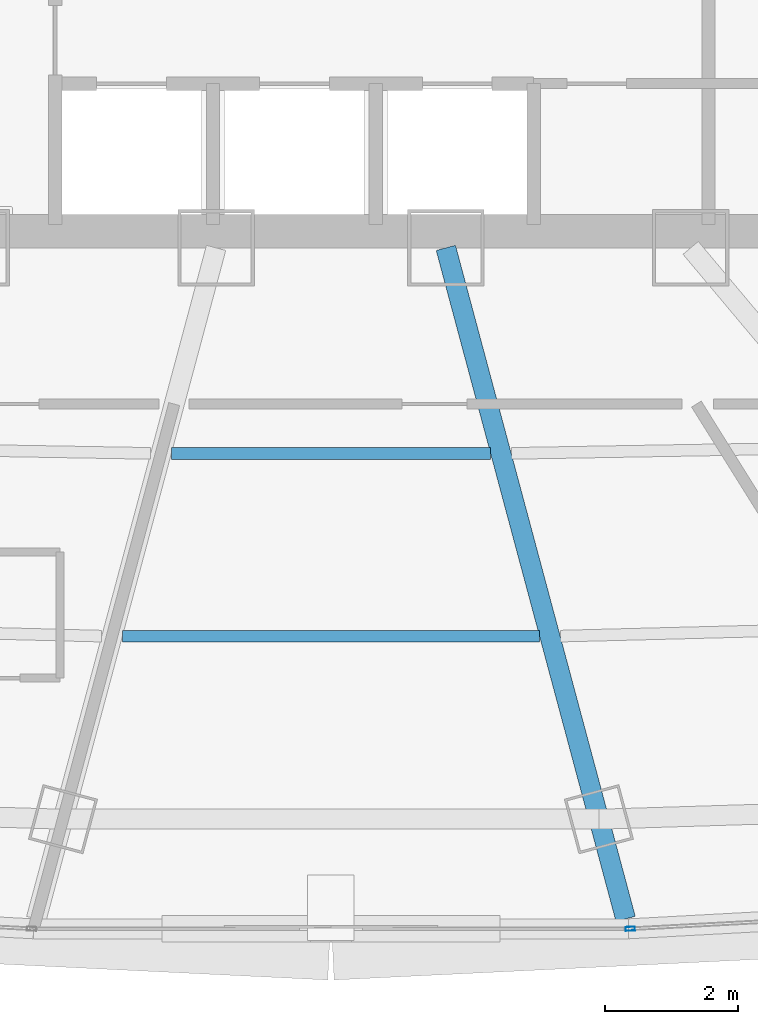
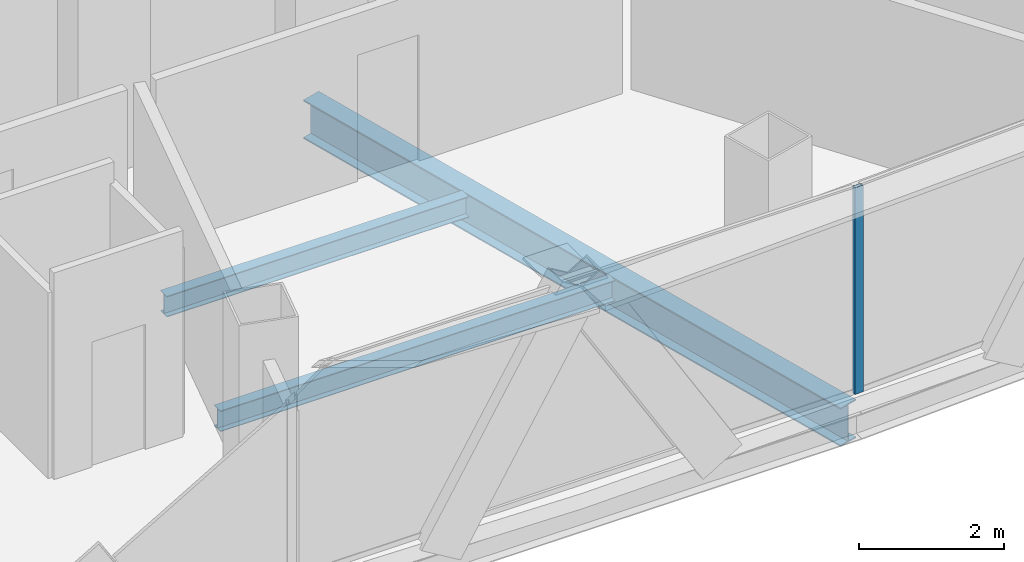
# One storey, part 10 of 37: 3 beams, 1 member, 1 element without a shape of its own.
"""IFC4 building model written with IfcOpenShell, lengths in metres."""

from ifc_helpers import new_model, si_unit, direction, frame, origin, origin_2d, place, context, subcontext, project, spatial, hollow_rectangle, i_section, extrude, source, transform, mapped, material, layer, layer_set, material_profile, profile_set, type_object, element, aggregate, save


model = new_model("IFC4")

# Units and contexts
model_context = context("Model", 3, precision=1e-05, world=origin(), true_north=direction((0.0, 1.0)))
body_context = subcontext(model_context, "Body", "Model", "MODEL_VIEW")
ifc_project = project(units=[si_unit("LENGTHUNIT", "METRE"), si_unit("AREAUNIT", "SQUARE_METRE"), si_unit("VOLUMEUNIT", "CUBIC_METRE"), si_unit("PLANEANGLEUNIT", "RADIAN"), si_unit("MASSUNIT", "GRAM", prefix="KILO"), si_unit("THERMODYNAMICTEMPERATUREUNIT", "KELVIN"), si_unit("POWERUNIT", "WATT")], contexts=[model_context])

# Site, building, storey
site_placement = place(None, origin())
site = spatial("IfcSite", under=ifc_project, at=site_placement, CompositionType="ELEMENT")
building_placement = place(site_placement, origin())
building = spatial("IfcBuilding", under=site, at=building_placement, Name="Yunzhuo Pagoda Commons", CompositionType="ELEMENT")
storey_placement = place(building_placement, frame((0.0, 0.0, 259.449951171875)))
storey = spatial("IfcBuildingStorey", under=building, at=storey_placement, Name="L65", CompositionType="ELEMENT", Elevation=259.449951171875)

# Beams
ifc_material_1 = material(Name="Structural steel Q355B", Category="steel")
ifc_material_profile_1 = material_profile(ifc_material_1, i_section(OverallWidth=0.175048828125, OverallDepth=0.35009765625, WebThickness=0.007080078125, FlangeThickness=0.010986328125, at=origin_2d()), Name="Structural steel Q355B")
ifc_profile_set_1 = profile_set([ifc_material_profile_1], Name="Structural steel Q355B")
beam_type_1 = type_object("IfcBeamType", Name="B-JS2 Joist HN 350x175x7x11", PredefinedType="JOIST", material=ifc_profile_set_1)
shared_shape_1 = source(origin(), body_context, "Body", "SweptSolid", [
    extrude(i_section(OverallWidth=0.175048828125, OverallDepth=0.35009765625, WebThickness=0.007080078125, FlangeThickness=0.010986328125, at=origin_2d()), origin(), (0.0, 0.0, 1.0), 4.796875),
])
beam_1_placement = place(storey_placement, frame((45.601806640625, 24.155517578125, -0.43505859375), z_axis=(1.0, 0.0, 0.0), x_axis=(0.0, 1.0, 0.0)))
element("IfcBeam", 1, at=beam_1_placement, inside=storey, type_object=beam_type_1, Name="L65 composite ring joist 1.2", PredefinedType="JOIST", context=body_context, shape_type="MappedRepresentation", body=[
    mapped(shared_shape_1, transform((0.0, 0.0, 0.0), scale=1.0)),
])
shared_shape_2 = source(origin(), body_context, "Body", "SweptSolid", [
    extrude(i_section(OverallWidth=0.175048828125, OverallDepth=0.35009765625, WebThickness=0.007080078125, FlangeThickness=0.010986328125, at=origin_2d()), origin(), (0.0, 0.0, 1.0), 6.27099609375),
])
beam_2_placement = place(storey_placement, frame((44.864501953125, 21.40478515625, -0.43505859375), z_axis=(1.0, 0.0, 0.0), x_axis=(0.0, 1.0, 0.0)))
element("IfcBeam", 2, at=beam_2_placement, inside=storey, type_object=beam_type_1, Name="L65 composite ring joist 2.2", PredefinedType="JOIST", context=body_context, shape_type="MappedRepresentation", body=[
    mapped(shared_shape_2, transform((0.0, 0.0, 0.0), scale=1.0)),
])
ifc_material_profile_2 = material_profile(ifc_material_1, i_section(OverallWidth=0.300048828125, OverallDepth=0.64990234375, WebThickness=0.012939453125, FlangeThickness=0.02197265625, at=origin_2d()), Name="Structural steel Q355B")
ifc_profile_set_2 = profile_set([ifc_material_profile_2], Name="Structural steel Q355B")
beam_type_2 = type_object("IfcBeamType", Name="B-RG2 Beam HN 650x300x13x22", PredefinedType="BEAM", material=ifc_profile_set_2)
shared_shape_3 = source(origin(), body_context, "Body", "SweptSolid", [
    extrude(i_section(OverallWidth=0.300048828125, OverallDepth=0.64990234375, WebThickness=0.012939453125, FlangeThickness=0.02197265625, at=origin_2d()), origin(), (0.0, 0.0, 1.0), 10.4521484375),
])
beam_3_placement = place(storey_placement, frame((52.43359375, 17.154052734375, -0.5849609375), z_axis=(-0.258808083979, 0.965928763247, 0.0), x_axis=(-0.965928763247, -0.258808083979, 0.0)))
element("IfcBeam", 3, at=beam_3_placement, inside=storey, type_object=beam_type_2, Name="L65 radial floor girder F1C3", PredefinedType="BEAM", context=body_context, shape_type="MappedRepresentation", body=[
    mapped(shared_shape_3, transform((0.0, 0.0, 0.0), scale=1.0)),
])

# Curtain wall, member
ifc_material_2 = material(Name="Anodized aluminium 6063-T6", Category="aluminium")
ifc_layer = layer(ifc_material_2, 0.139892578125)
ifc_layer_set = layer_set([ifc_layer], Name="Anodized aluminium 6063-T6")
curtain_wall_type = type_object("IfcCurtainWallType", Name="CW-HI High-Zone Ribbon Curtain Wall", PredefinedType="NOTDEFINED", material=ifc_layer_set)
curtain_wall_placement = place(storey_placement, origin())
curtain_wall = element("IfcCurtainWall", 4, at=curtain_wall_placement, inside=storey, type_object=curtain_wall_type, Name="L65 curtain wall CW-L65-F1B4", PredefinedType="NOTDEFINED")
ifc_material_profile_3 = material_profile(ifc_material_2, hollow_rectangle(XDim=0.06005859375, YDim=0.139892578125, WallThickness=0.00341796875, at=origin_2d()), Name="Anodized aluminium 6063-T6")
ifc_profile_set_3 = profile_set([ifc_material_profile_3], Name="Anodized aluminium 6063-T6")
member_type = type_object("IfcMemberType", Name="CW-HI-M Mullion RHS 140x60x3.5", PredefinedType="MULLION", material=ifc_profile_set_3)
shared_shape_4 = source(origin(), body_context, "Body", "SweptSolid", [
    extrude(hollow_rectangle(XDim=0.06005859375, YDim=0.139892578125, WallThickness=0.00341796875, at=origin_2d()), origin(), (0.0, 0.0, 1.0), 3.469970703125),
])
member_placement = place(storey_placement, frame((52.503662109375, 17.005859375, 0.0), z_axis=(0.0, 0.0, 1.0), x_axis=(-0.053988827702, 0.998541539688, 0.0)))
member = element("IfcMember", 5, at=member_placement, type_object=member_type, Name="CW mullion 1", PredefinedType="MULLION", context=body_context, shape_type="MappedRepresentation", body=[
    mapped(shared_shape_4, transform((0.0, 0.0, 0.0), scale=1.0)),
])
aggregate(curtain_wall, [member])

save(model, "model.ifc")
